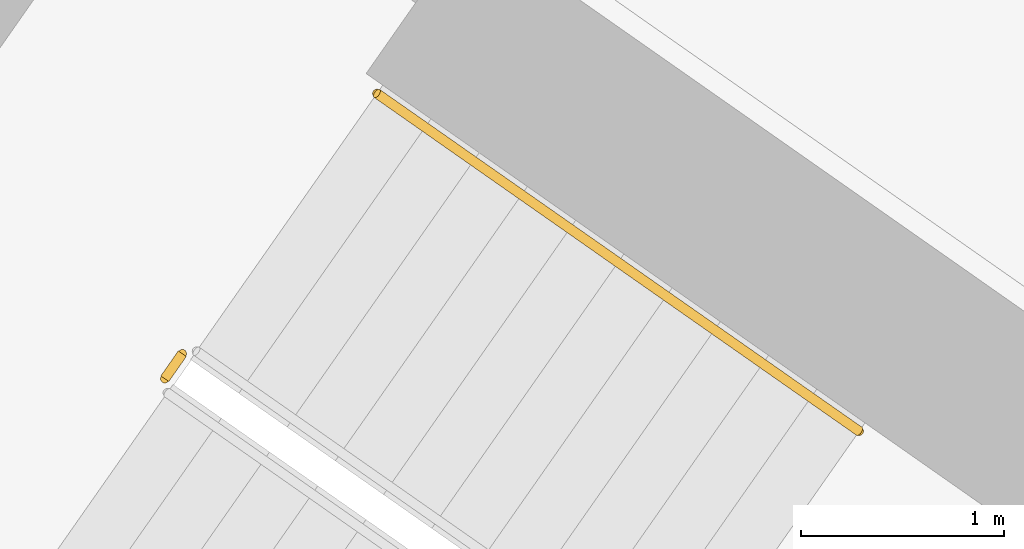
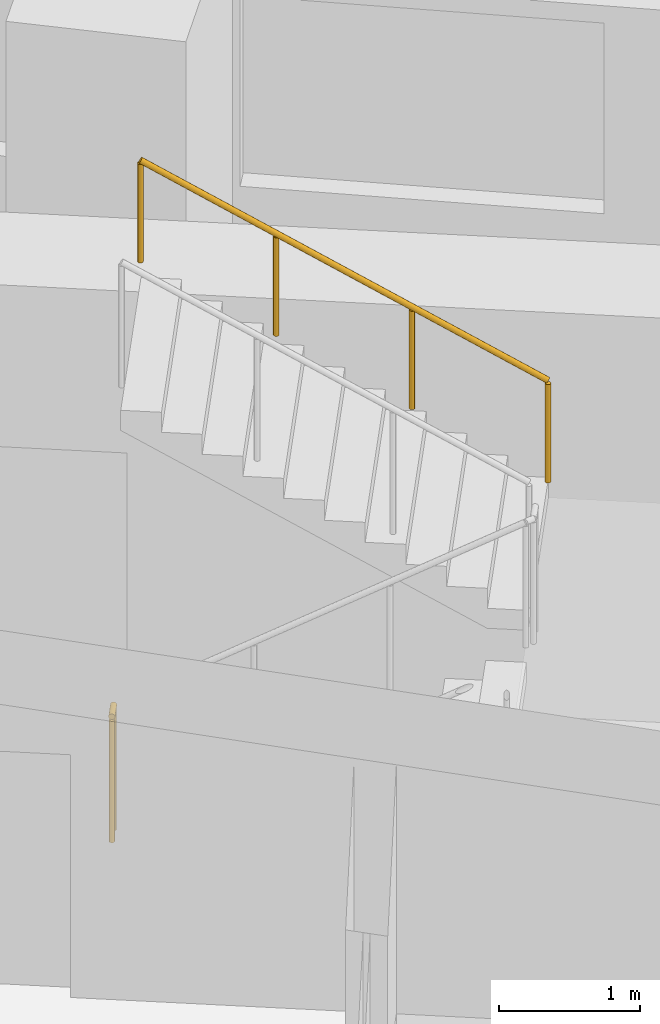
# One storey, part 28 of 31: 2 railings.
"""IFC4 building model written with IfcOpenShell, lengths in metres."""

from ifc_helpers import new_model, si_unit, direction, frame, origin, origin_2d, place, context, subcontext, project, spatial, circle, extrude, material, type_object, element, save


model = new_model("IFC4")

# Units and contexts
model_context = context("Model", 3, precision=1e-05, world=origin(), true_north=direction((0.0, 1.0)))
body_context = subcontext(model_context, "Body", "Model", "MODEL_VIEW")
ifc_project = project(units=[si_unit("LENGTHUNIT", "METRE"), si_unit("AREAUNIT", "SQUARE_METRE"), si_unit("VOLUMEUNIT", "CUBIC_METRE"), si_unit("PLANEANGLEUNIT", "RADIAN"), si_unit("MASSUNIT", "GRAM", prefix="KILO")], contexts=[model_context])

# Site, building, storey
site_placement = place(None, origin())
site = spatial("IfcSite", under=ifc_project, at=site_placement, CompositionType="ELEMENT")
building_placement = place(site_placement, origin())
building = spatial("IfcBuilding", under=site, at=building_placement, Name="Qamariyya Broadcast Tower", CompositionType="ELEMENT")
storey_placement = place(building_placement, frame((0.0, 0.0, 59.5)))
storey = spatial("IfcBuildingStorey", under=building, at=storey_placement, Name="L11", CompositionType="ELEMENT", Elevation=59.5)

# Railings
ifc_material_1 = material(Name="Painted steel", Category="steel")
railing_type_1 = type_object("IfcRailingType", Name="Stair guard", PredefinedType="GUARDRAIL", material=ifc_material_1)
railing_1_placement = place(storey_placement, frame((-41.158935546875, -48.455322265625, 0.0)))
element("IfcRailing", 1, at=railing_1_placement, inside=storey, type_object=railing_type_1, Name="L11 ST-W2 stair guard 3", PredefinedType="GUARDRAIL", context=body_context, shape_type="SweptSolid", body=[
    extrude(circle(Radius=0.02392578125, at=origin_2d()), frame((0.0, 0.0, 1.076171875), z_axis=(0.572588637393, 0.819842821722, 0.0), x_axis=(-0.819842821722, 0.572588637393, 0.0)), (0.0, 0.0, 1.0), 0.150146484375),
    extrude(circle(Radius=0.02099609375, at=origin_2d()), origin(), (0.0, 0.0, 1.0), 1.052001953125),
    extrude(circle(Radius=0.02099609375, at=origin_2d()), frame((0.0859375, 0.123046875, 0.0)), (0.0, 0.0, 1.0), 1.052001953125),
])
ifc_material_2 = material(Name="Stainless steel", Category="steel")
railing_type_2 = type_object("IfcRailingType", Name="Stair handrail", PredefinedType="HANDRAIL", material=ifc_material_2)
railing_2_placement = place(storey_placement, frame((-37.73876953125, -48.7138671875, 2.07275390625)))
element("IfcRailing", 2, at=railing_2_placement, inside=storey, type_object=railing_type_2, Name="L11 ST-W2 stair handrail 2", PredefinedType="HANDRAIL", context=body_context, shape_type="SweptSolid", body=[
    extrude(circle(Radius=0.02392578125, at=origin_2d()), frame((0.0, 0.0, 0.8759765625), z_axis=(-0.703745009021, 0.492838488332, 0.511715923826), x_axis=(-0.573631830683, -0.819113253969, 0.0)), (0.0, 0.0, 1.0), 3.37548828125),
    extrude(circle(Radius=0.02099609375, at=origin_2d()), origin(), (0.0, 0.0, 1.0), 0.851806640625),
    extrude(circle(Radius=0.02099609375, at=origin_2d()), frame((-0.791748046875, 0.554443359375, 0.57568359375)), (0.0, 0.0, 1.0), 0.851806640625),
    extrude(circle(Radius=0.02099609375, at=origin_2d()), frame((-1.583740234375, 1.109130859375, 1.151611328125)), (0.0, 0.0, 1.0), 0.851806640625),
    extrude(circle(Radius=0.02099609375, at=origin_2d()), frame((-2.37548828125, 1.66357421875, 1.727294921875)), (0.0, 0.0, 1.0), 0.851806640625),
])

save(model, "model.ifc")
